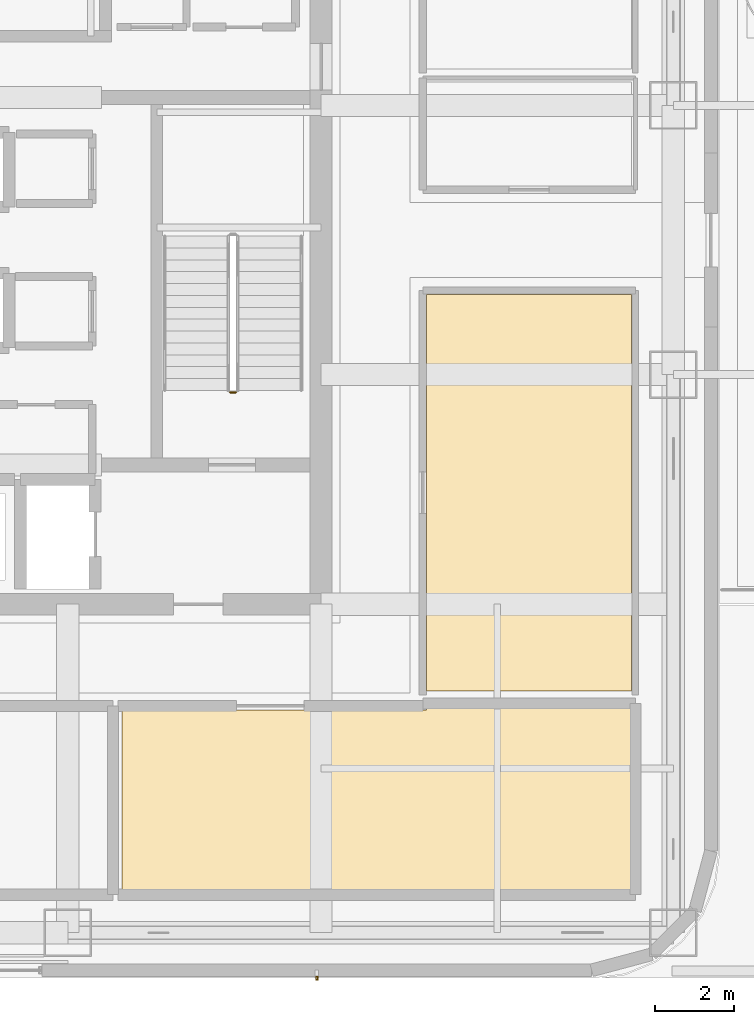
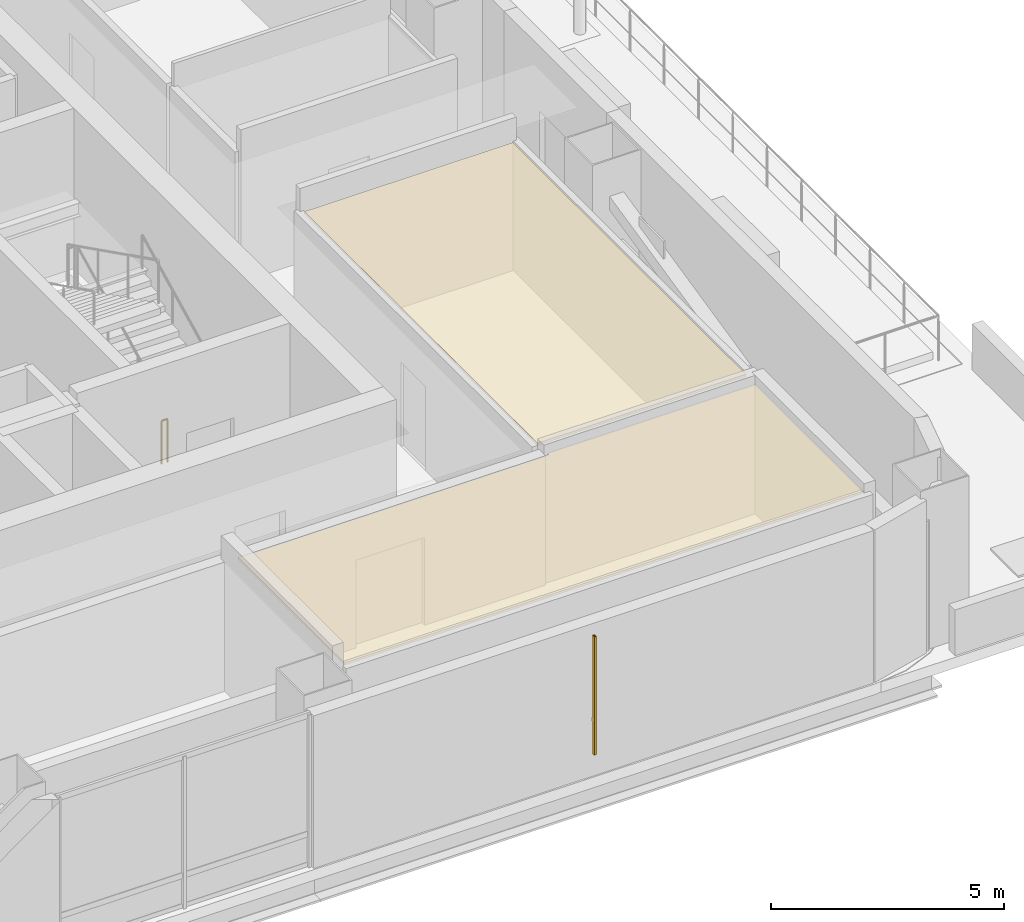
# One storey, part 27 of 31: 2 coverings, 1 railing, 1 shading device.
"""IFC4 building model written with IfcOpenShell, lengths in metres."""

from ifc_helpers import new_model, si_unit, direction, frame, origin, origin_2d, place, context, subcontext, project, spatial, polyline, hollow_rectangle, circle, outline, extrude, material, layer, layer_set, material_profile, profile_set, type_object, element, save


model = new_model("IFC4")

# Units and contexts
model_context = context("Model", 3, precision=1e-05, world=origin(), true_north=direction((0.0, 1.0)))
body_context = subcontext(model_context, "Body", "Model", "MODEL_VIEW")
ifc_project = project(units=[si_unit("LENGTHUNIT", "METRE"), si_unit("AREAUNIT", "SQUARE_METRE"), si_unit("VOLUMEUNIT", "CUBIC_METRE"), si_unit("PLANEANGLEUNIT", "RADIAN"), si_unit("MASSUNIT", "GRAM", prefix="KILO")], contexts=[model_context])

# Site, building, storey
site_placement = place(None, origin())
site = spatial("IfcSite", under=ifc_project, at=site_placement, CompositionType="ELEMENT")
building_placement = place(site_placement, origin())
building = spatial("IfcBuilding", under=site, at=building_placement, Name="Punatoya Terracotta Tower", CompositionType="ELEMENT")
storey_placement = place(building_placement, frame((0.0, 0.0, 283.800048828125)))
storey = spatial("IfcBuildingStorey", under=building, at=storey_placement, Name="L67", CompositionType="ELEMENT", Elevation=283.800048828125)

# Coverings
ifc_material_1 = material(Name="Acoustic Mineral Fibre Ceiling")
ifc_layer = layer(ifc_material_1, 0.06005859375)
ifc_layer_set = layer_set([ifc_layer], Name="Acoustic Mineral Fibre Ceiling")
covering_type = type_object("IfcCoveringType", Name="COV-CEIL-60", PredefinedType="CEILING", material=ifc_layer_set)
covering_1_placement = place(storey_placement, frame((0.0, 0.0, 3.31005859375)))
element("IfcCovering", 1, at=covering_1_placement, inside=storey, type_object=covering_type, Name="L67 Executive Bistro Lounge Acoustic Ceiling", PredefinedType="CEILING", context=body_context, shape_type="SweptSolid", body=[
    extrude(outline(polyline([(12.8701171875, -11.8701171875), (5.16796875, -11.8701171875), (5.16796875, -16.43994140625), (18.0400390625, -16.43994140625), (18.0400390625, -11.81005859375), (12.8701171875, -11.81005859375), (12.8701171875, -11.8701171875)])), origin(), (0.0, 0.0, 1.0), 0.059814453125),
])
covering_2_placement = place(storey_placement, frame((0.0, 0.0, 3.31005859375)))
element("IfcCovering", 2, at=covering_2_placement, inside=storey, type_object=covering_type, Name="L67 Catering Tea Pantry Acoustic Ceiling", PredefinedType="CEILING", context=body_context, shape_type="SweptSolid", body=[
    extrude(outline(polyline([(18.0400390625, -11.389892578125), (18.0400390625, -1.3701171875), (12.8701171875, -1.3701171875), (12.8701171875, -11.389892578125), (18.0400390625, -11.389892578125)])), origin(), (0.0, 0.0, 1.0), 0.059814453125),
])

# Railing
ifc_material_2 = material(Name="Steel S355", Category="steel")
railing_type = type_object("IfcRailingType", Name="RLG-GRD-1150", PredefinedType="GUARDRAIL", material=ifc_material_2)
railing_placement = place(storey_placement, frame((8.050048828125, -3.85009765625, 0.0)))
element("IfcRailing", 3, at=railing_placement, inside=storey, type_object=railing_type, Name="L67 ST-2 stair guard 4", PredefinedType="GUARDRAIL", context=body_context, shape_type="SweptSolid", body=[
    extrude(circle(Radius=0.02392578125, at=origin_2d()), frame((0.0, 0.0, 1.1259765625), z_axis=(-1.0, 0.0, 0.0), x_axis=(0.0, -1.0, 0.0)), (0.0, 0.0, 1.0), 0.150146484375),
    extrude(circle(Radius=0.02099609375, at=origin_2d()), origin(), (0.0, 0.0, 1.0), 1.101806640625),
    extrude(circle(Radius=0.02099609375, at=origin_2d()), frame((-0.150146484375, 0.0, 0.0)), (0.0, 0.0, 1.0), 1.101806640625),
])

# Shading device
ifc_material_3 = material(Name="Architectural Fired Terracotta", Category="masonry")
ifc_material_profile = material_profile(ifc_material_3, hollow_rectangle(XDim=0.06005859375, YDim=0.090087890625, WallThickness=0.013916015625, at=origin_2d()))
ifc_profile_set = profile_set([ifc_material_profile], Name="Architectural Fired Terracotta")
shading_device_type = type_object("IfcShadingDeviceType", Name="SHD-JALI-90", PredefinedType="JALOUSIE", material=ifc_profile_set)
shading_device_placement = place(storey_placement, frame((10.093505859375, -18.64990234375, 0.599853515625), z_axis=(0.0, 0.0, 1.0), x_axis=(1.0, 0.0, 0.0)))
element("IfcShadingDevice", 4, at=shading_device_placement, inside=storey, type_object=shading_device_type, Name="L67 Braced Bay Terracotta Jali Fin S2", PredefinedType="JALOUSIE", context=body_context, shape_type="SweptSolid", body=[
    extrude(hollow_rectangle(XDim=0.06005859375, YDim=0.090087890625, WallThickness=0.013916015625, at=origin_2d()), origin(), (0.0, 0.0, 1.0), 3.10009765625),
])

save(model, "model.ifc")
